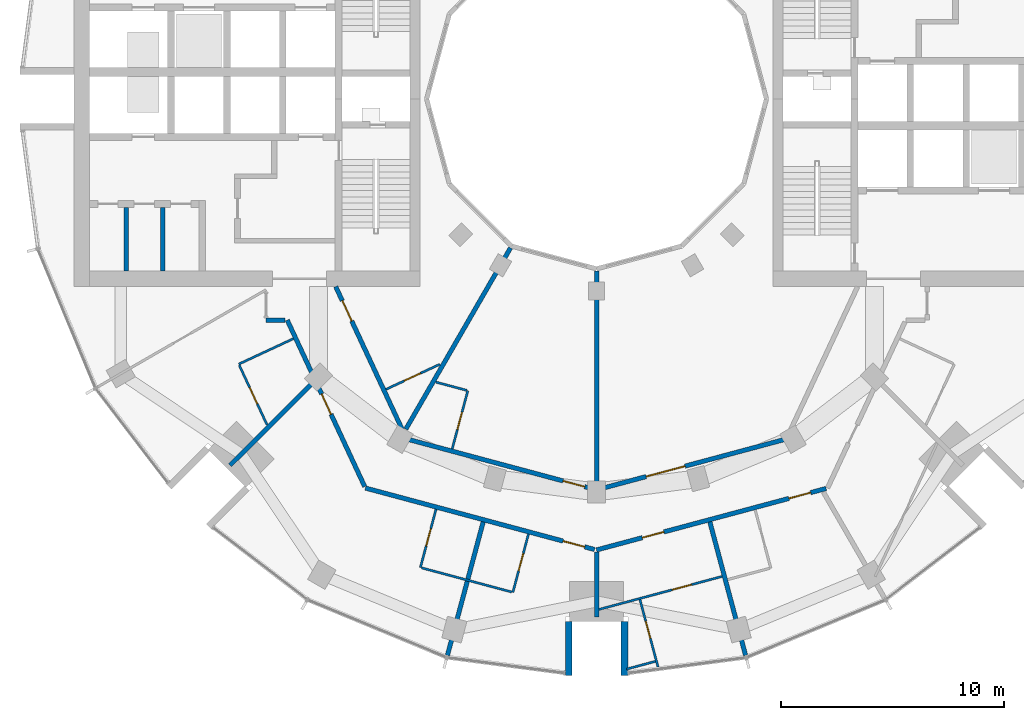
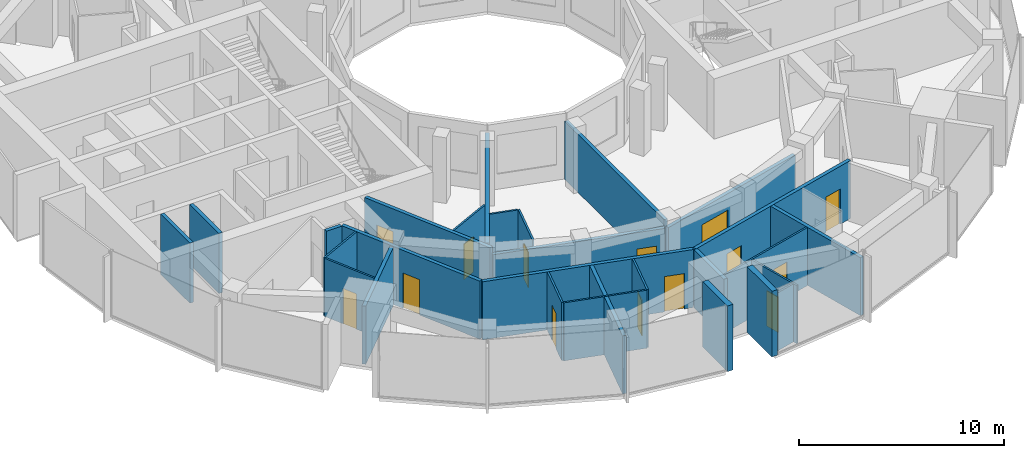
# One storey, part 8 of 15: 28 walls, 14 doors, 14 openings.
"""IFC4 building model written with IfcOpenShell, lengths in metres."""

import ifcopenshell
import ifcopenshell.guid

model = None  # the IFC model being written
_history = None  # IfcOwnerHistory: only IFC2X3 demands one
_inside = {}  # id of a spatial element -> (the spatial element, [elements in it])
_under = {}  # id of a project, library or spatial element -> (it, [spatial elements below it])
_declared = {}  # id of a project -> (the project, [libraries it declares])
_typed = {}  # id of a type object -> (the type object, [elements of that type])
_made_of = {}  # id of a material, layer set ... -> (it, [elements and type objects made of it])


def new_model(schema):
    """Start an empty IFC model of exactly this schema.

    Asked for "IFC4X3", IfcOpenShell would pick the latest addendum, in which some entities
    have other attributes; the version numbers below select the first issue.
    IFC2X3 requires an IfcOwnerHistory on every rooted entity: one is made here for all.
    """
    global model, _history
    if schema == "IFC4X3":
        model = ifcopenshell.file(schema_version=(4, 3, 0, 0))
    else:
        model = ifcopenshell.file(schema=schema)
    _inside.clear()
    _under.clear()
    _declared.clear()
    _typed.clear()
    _made_of.clear()
    _history = None
    if model.schema == "IFC2X3":
        org = make("IfcOrganization", Name="unknown")
        user = make(
            "IfcPersonAndOrganization",
            ThePerson=make("IfcPerson", FamilyName="unknown"),
            TheOrganization=org,
        )
        app = make(
            "IfcApplication",
            ApplicationDeveloper=org,
            Version="unknown",
            ApplicationFullName="unknown",
            ApplicationIdentifier="unknown",
        )
        _history = make(
            "IfcOwnerHistory",
            OwningUser=user,
            OwningApplication=app,
            ChangeAction="ADDED",
            CreationDate=0,
        )
    return model


def make(cls, **values):
    """One entity of the class cls with the attributes given. An attribute that is None is left unset."""
    return model.create_entity(
        cls, **{name: value for name, value in values.items() if value is not None}
    )


def rooted(cls, **values):
    """An entity with a GlobalId (a new one), such as an element, a storey or a relation."""
    return make(cls, GlobalId=ifcopenshell.guid.new(), OwnerHistory=_history, **values)


def si_unit(unit_type, name, prefix=None):
    """IfcSIUnit, for example si_unit("LENGTHUNIT", "METRE", prefix="MILLI")."""
    return make("IfcSIUnit", UnitType=unit_type, Prefix=prefix, Name=name)


def assignment(units):
    """IfcUnitAssignment: the units of a project."""
    return None if units is None else make("IfcUnitAssignment", Units=units)


def point(xyz):
    """IfcCartesianPoint."""
    return None if xyz is None else make("IfcCartesianPoint", Coordinates=xyz)


def direction(xyz):
    """IfcDirection."""
    return None if xyz is None else make("IfcDirection", DirectionRatios=xyz)


def frame(location, z_axis=None, x_axis=None):
    """IfcAxis2Placement3D, a coordinate frame: its origin and axes. An axis left out is left unset."""
    return make(
        "IfcAxis2Placement3D",
        Location=point(location),
        Axis=direction(z_axis),
        RefDirection=direction(x_axis),
    )


def frame_2d(location, x_axis=None):
    """IfcAxis2Placement2D, a coordinate frame in the plane: its origin and x axis."""
    return make(
        "IfcAxis2Placement2D", Location=point(location), RefDirection=direction(x_axis)
    )


def origin():
    """The frame at (0, 0, 0) with its axes left unset."""
    return frame((0.0, 0.0, 0.0))


def place(relative_to, where):
    """IfcLocalPlacement: puts the frame where relative to a parent placement (None: the world)."""
    return make(
        "IfcLocalPlacement", PlacementRelTo=relative_to, RelativePlacement=where
    )


def context(
    kind, dimensions, precision=None, world=None, true_north=None, identifier=None
):
    """IfcGeometricRepresentationContext, for example the 3D "Model" context."""
    return make(
        "IfcGeometricRepresentationContext",
        ContextIdentifier=identifier,
        ContextType=kind,
        CoordinateSpaceDimension=dimensions,
        Precision=precision,
        WorldCoordinateSystem=world,
        TrueNorth=true_north,
    )


def subcontext(parent, identifier, kind, view, scale=None):
    """IfcGeometricRepresentationSubContext, for example "Body" below "Model"."""
    return make(
        "IfcGeometricRepresentationSubContext",
        ContextIdentifier=identifier,
        ContextType=kind,
        ParentContext=parent,
        TargetScale=scale,
        TargetView=view,
    )


def project(units=None, contexts=None):
    """IfcProject with its units and contexts."""
    return rooted(
        "IfcProject",
        Name="project",
        RepresentationContexts=contexts,
        UnitsInContext=assignment(units),
    )


def spatial(cls, under=None, at=None, **own):
    """A site, building, storey or space (cls), placed at a placement, below another one or the project."""
    s = rooted(cls, ObjectPlacement=at, **own)
    if under is not None:
        _under.setdefault(under.id(), (under, []))[1].append(s)
    return s


def profile(cls, at=None, kind="AREA", **sizes):
    """A parametric profile (cls). Its sizes go by their IFC names, for example OverallWidth=200.0."""
    return make(cls, ProfileType=kind, Position=at, **sizes)


def rectangle(**sizes):
    """IfcRectangleProfileDef."""
    return profile("IfcRectangleProfileDef", **sizes)


def extrude(swept, where, along, depth):
    """IfcExtrudedAreaSolid: the profile swept, set in the frame where, extruded along a direction by depth."""
    return make(
        "IfcExtrudedAreaSolid",
        SweptArea=swept,
        Position=where,
        ExtrudedDirection=direction(along),
        Depth=depth,
    )


def shape(context_of_items, identifier, shape_type, items):
    """IfcShapeRepresentation: the items that make up one representation, for example the "Body"."""
    return make(
        "IfcShapeRepresentation",
        ContextOfItems=context_of_items,
        RepresentationIdentifier=identifier,
        RepresentationType=shape_type,
        Items=items,
    )


def material(Name=None, Category=None):
    """IfcMaterial."""
    return make("IfcMaterial", Name=Name, Category=Category)


def layer(
    of_material, thickness, ventilated=None, Name=None, Category=None, Priority=None
):
    """IfcMaterialLayer: one layer of a wall or slab, of a material (None: an air gap)."""
    return make(
        "IfcMaterialLayer",
        Material=of_material,
        LayerThickness=thickness,
        IsVentilated=ventilated,
        Name=Name,
        Category=Category,
        Priority=Priority,
    )


def layer_set(layers, Name=None):
    """IfcMaterialLayerSet."""
    return make("IfcMaterialLayerSet", MaterialLayers=layers, LayerSetName=Name)


def made_of(thing, what):
    """Note that an element or type object is made of a material, layer set ...; save() writes the relation."""
    if what is not None:
        _made_of.setdefault(what.id(), (what, []))[1].append(thing)
    return thing


def type_object(cls, material=None, **own):
    """A type object (cls), such as IfcWallType, which elements share."""
    return made_of(rooted(cls, **own), material)


def element(
    cls,
    number,
    at=None,
    inside=None,
    cuts=None,
    type_object=None,
    material=None,
    context=None,
    identifier="Body",
    shape_type=None,
    held_by="IfcProductDefinitionShape",
    body=None,
    shapes=None,
    **own,
):
    """One element of the class cls, such as IfcWall. Its Tag is "e" and its number.

    at: its placement. inside: the storey or other place that contains it. cuts: it is an
    opening in that element (IfcRelVoidsElement). A single representation is given by context,
    identifier, shape_type and body (its items); several are given by shapes. held_by: the class
    of the entity that holds the representations. save() writes the other relations.
    """
    e = rooted(cls, Tag="e%d" % number, ObjectPlacement=at, **own)
    if body is not None:
        shapes = [shape(context, identifier, shape_type, body)]
    if shapes is not None:
        e.Representation = make(held_by, Representations=shapes)
    if inside is not None:
        _inside.setdefault(inside.id(), (inside, []))[1].append(e)
    if cuts is not None:
        rooted(
            "IfcRelVoidsElement", RelatingBuildingElement=cuts, RelatedOpeningElement=e
        )
    if type_object is not None:
        _typed.setdefault(type_object.id(), (type_object, []))[1].append(e)
    return made_of(e, material)


def fill(opening, filler):
    """IfcRelFillsElement: the door or window that sits in an opening."""
    return rooted(
        "IfcRelFillsElement",
        RelatingOpeningElement=opening,
        RelatedBuildingElement=filler,
    )


def aggregate(whole, parts):
    """IfcRelAggregates: a whole, such as a stair, and the parts it consists of."""
    return rooted("IfcRelAggregates", RelatingObject=whole, RelatedObjects=parts)


def save(model, path):
    """Write the relations noted so far, then the file.

    IfcRelAggregates (storeys below a building ...), IfcRelContainedInSpatialStructure (elements
    in a storey), IfcRelDefinesByType, IfcRelAssociatesMaterial and IfcRelDeclares: one each for
    every whole, place, type object, material and project.
    """
    for whole, parts in _under.values():
        aggregate(whole, parts)
    for where, things in _inside.values():
        rooted(
            "IfcRelContainedInSpatialStructure",
            RelatedElements=things,
            RelatingStructure=where,
        )
    for kind, things in _typed.values():
        rooted("IfcRelDefinesByType", RelatedObjects=things, RelatingType=kind)
    for what, things in _made_of.values():
        rooted("IfcRelAssociatesMaterial", RelatedObjects=things, RelatingMaterial=what)
    for by, libraries in _declared.values():
        rooted("IfcRelDeclares", RelatingContext=by, RelatedDefinitions=libraries)
    model.write(path)


model = new_model("IFC4")

# Units and contexts
model_context = context("Model", 3, precision=1e-05, world=origin(), true_north=direction((0.0, 1.0)))
body_context = subcontext(model_context, "Body", "Model", "MODEL_VIEW")
ifc_project = project(units=[si_unit("LENGTHUNIT", "METRE"), si_unit("AREAUNIT", "SQUARE_METRE"), si_unit("VOLUMEUNIT", "CUBIC_METRE"), si_unit("PLANEANGLEUNIT", "RADIAN"), si_unit("MASSUNIT", "GRAM", prefix="KILO")], contexts=[model_context])

# Site, building, storey
site_placement = place(None, origin())
site = spatial("IfcSite", under=ifc_project, at=site_placement, CompositionType="ELEMENT")
building_placement = place(site_placement, origin())
building = spatial("IfcBuilding", under=site, at=building_placement, Name="Torre Brocal", CompositionType="ELEMENT")
storey_placement = place(building_placement, frame((0.0, 0.0, 126.300048828125)))
storey = spatial("IfcBuildingStorey", under=building, at=storey_placement, Name="L29", CompositionType="ELEMENT", Elevation=126.300048828125)

# Walls
ifc_material_1 = material(Name="Masonry block", Category="masonry")
ifc_layer_1 = layer(ifc_material_1, 0.199951171875)
ifc_layer_set_1 = layer_set([ifc_layer_1], Name="Masonry block")
wall_type_1 = type_object("IfcWallType", Name="CORE PARTITION 200", PredefinedType="PARTITIONING", material=ifc_layer_set_1)
for number, where, z_axis, x_axis, name in (
    (1, (60.566650390625, 70.14990234375, 0.0), (0.0, 0.0, 1.0), (0.0, -1.0, 0.0), "Wall CP200"),
    (2, (58.933349609375, 70.14990234375, 0.0), (0.0, 0.0, 1.0), (0.0, -1.0, 0.0), "Wall CP200"),
):
    element("IfcWall", number, at=place(storey_placement, frame(where, z_axis=z_axis, x_axis=x_axis)), inside=storey, type_object=wall_type_1, Name=name, PredefinedType="PARTITIONING", context=body_context, shape_type="SweptSolid", body=[
        extrude(rectangle(XDim=2.849853515625, YDim=0.199951171875, at=frame_2d((1.4248046875, 0.0))), origin(), (0.0, 0.0, 1.0), 3.579833984375),
    ])
ifc_material_2 = material(Name="Concrete C70", Category="concrete")
ifc_layer_2 = layer(ifc_material_2, 0.300048828125)
ifc_layer_set_2 = layer_set([ifc_layer_2], Name="Concrete C70")
wall_type_2 = type_object("IfcWallType", Name="NOTCH RETURN WALL 300 C70", PredefinedType="NOTDEFINED", material=ifc_layer_set_2)
for number, where, z_axis, x_axis, name in (
    (3, (78.75, 51.60009765625, 0.0), (0.0, 0.0, 1.0), (0.0, -1.0, 0.0), "NOTCH RETURN WALL"),
    (4, (81.25, 51.60009765625, 0.0), (0.0, 0.0, 1.0), (0.0, -1.0, 0.0), "NOTCH RETURN WALL"),
):
    element("IfcWall", number, at=place(storey_placement, frame(where, z_axis=z_axis, x_axis=x_axis)), inside=storey, type_object=wall_type_2, Name=name, PredefinedType="NOTDEFINED", context=body_context, shape_type="SweptSolid", body=[
        extrude(rectangle(XDim=2.415771484375, YDim=0.300048828125, at=frame_2d((1.2080078125, 0.0))), origin(), (0.0, 0.0, 1.0), 3.89990234375),
    ])

# Wall, opening, door
ifc_material_3 = material(Name="Gypsum board", Category="Gypsum")
ifc_layer_3 = layer(ifc_material_3, 0.10009765625)
ifc_layer_set_3 = layer_set([ifc_layer_3], Name="Gypsum board")
wall_type_3 = type_object("IfcWallType", Name="PARTITION 100", PredefinedType="PARTITIONING", material=ifc_layer_set_3)
wall_1_placement = place(storey_placement, frame((64.001220703125, 63.081787109375, 0.0), z_axis=(0.0, 0.0, 1.0), x_axis=(0.422271882089, -0.906469225951, 0.0)))
wall_1 = element("IfcWall", 5, at=wall_1_placement, inside=storey, type_object=wall_type_3, Name="BATHROOM WALL", PredefinedType="PARTITIONING", context=body_context, shape_type="SweptSolid", body=[
    extrude(rectangle(XDim=2.941162109375, YDim=0.10009765625, at=frame_2d((1.470703125, 0.0))), origin(), (0.0, 0.0, 1.0), 3.449951171875),
])
opening_1_placement = place(wall_1_placement, frame((1.110595703125, 0.0, 0.0)))
opening_1 = element("IfcOpeningElement", 6, at=opening_1_placement, cuts=wall_1, Name="Opening E02-D39", PredefinedType="OPENING", context=body_context, shape_type="SweptSolid", body=[
    extrude(rectangle(XDim=0.800048828125, YDim=2.10009765625, at=frame_2d((0.39990234375, 1.050048828125))), frame((0.0, 0.06005859375, 0.0), z_axis=(0.0, -1.0, 0.0), x_axis=(1.0, 0.0, 0.0)), (0.0, 0.0, 1.0), 0.1201171875),
])
ifc_material_4 = material(Name="Timber", Category="wood")
door_type_1 = type_object("IfcDoorType", Name="BATHROOM DOOR 800X2100", OperationType="SINGLE_SWING_LEFT", PredefinedType="DOOR", material=ifc_material_4)
door_1_placement = place(opening_1_placement, origin())
door_1 = element("IfcDoor", 7, at=door_1_placement, inside=storey, type_object=door_type_1, Name="E02-D39", OperationType="SINGLE_SWING_RIGHT", OverallHeight=2.10009765625, OverallWidth=0.800048828125, PredefinedType="DOOR", context=body_context, shape_type="SweptSolid", body=[
    extrude(rectangle(XDim=0.800048828125, YDim=2.10009765625, at=frame_2d((0.39990234375, 1.050048828125))), frame((0.0, 0.02490234375, 0.0), z_axis=(0.0, -1.0, 0.0), x_axis=(1.0, 0.0, 0.0)), (0.0, 0.0, 1.0), 0.050048828125),
])
fill(opening_1, door_1)

# Wall
wall_2_placement = place(storey_placement, frame((63.97998046875, 63.126953125, 0.0), z_axis=(0.0, 0.0, 1.0), x_axis=(0.90649017149, 0.422226916469, 0.0)))
element("IfcWall", 8, at=wall_2_placement, inside=storey, type_object=wall_type_3, Name="BATHROOM WALL", PredefinedType="PARTITIONING", context=body_context, shape_type="SweptSolid", body=[
    extrude(rectangle(XDim=2.69970703125, YDim=0.10009765625, at=frame_2d((1.349853515625, 0.0))), origin(), (0.0, 0.0, 1.0), 3.449951171875),
])

# Wall, opening, door
wall_3_placement = place(storey_placement, frame((70.57373046875, 61.997314453125, 0.0), z_axis=(0.0, 0.0, 1.0), x_axis=(0.906511197636, 0.422181771942, 0.0)))
wall_3 = element("IfcWall", 9, at=wall_3_placement, inside=storey, type_object=wall_type_3, Name="BATHROOM WALL", PredefinedType="PARTITIONING", context=body_context, shape_type="SweptSolid", body=[
    extrude(rectangle(XDim=2.659423828125, YDim=0.10009765625, at=frame_2d((1.32958984375, 0.0))), origin(), (0.0, 0.0, 1.0), 3.449951171875),
])
opening_2_placement = place(wall_3_placement, frame((0.89990234375, 0.0, 0.0)))
opening_2 = element("IfcOpeningElement", 10, at=opening_2_placement, cuts=wall_3, Name="Opening E02-D45", PredefinedType="OPENING", context=body_context, shape_type="SweptSolid", body=[
    extrude(rectangle(XDim=0.800048828125, YDim=2.10009765625, at=frame_2d((0.39990234375, 1.050048828125))), frame((0.0, 0.06005859375, 0.0), z_axis=(0.0, -1.0, 0.0), x_axis=(1.0, 0.0, 0.0)), (0.0, 0.0, 1.0), 0.1201171875),
])
door_2_placement = place(opening_2_placement, frame((0.800048828125, 0.0, 0.0), z_axis=(0.0, 0.0, 1.0), x_axis=(-1.0, 0.0, 0.0)))
door_2 = element("IfcDoor", 11, at=door_2_placement, inside=storey, type_object=door_type_1, Name="E02-D45", OperationType="SINGLE_SWING_RIGHT", OverallHeight=2.10009765625, OverallWidth=0.800048828125, PredefinedType="DOOR", context=body_context, shape_type="SweptSolid", body=[
    extrude(rectangle(XDim=0.800048828125, YDim=2.10009765625, at=frame_2d((0.39990234375, 1.050048828125))), frame((0.0, 0.02490234375, 0.0), z_axis=(0.0, -1.0, 0.0), x_axis=(1.0, 0.0, 0.0)), (0.0, 0.0, 1.0), 0.050048828125),
])
fill(opening_2, door_2)

# Wall
wall_4_placement = place(storey_placement, frame((72.16748046875, 54.00390625, 0.0), z_axis=(0.0, 0.0, 1.0), x_axis=(0.965881316313, -0.258985101497, 0.0)))
element("IfcWall", 12, at=wall_4_placement, inside=storey, type_object=wall_type_3, Name="BATHROOM WALL", PredefinedType="PARTITIONING", context=body_context, shape_type="SweptSolid", body=[
    extrude(rectangle(XDim=4.181640625, YDim=0.10009765625, at=frame_2d((2.0908203125, 0.0))), origin(), (0.0, 0.0, 1.0), 3.449951171875),
])

# Wall, opening, door
wall_5_placement = place(storey_placement, frame((72.11376953125, 54.018310546875, 0.0), z_axis=(0.0, 0.0, 1.0), x_axis=(0.258945475746, 0.965891940432, 0.0)))
wall_5 = element("IfcWall", 13, at=wall_5_placement, inside=storey, type_object=wall_type_3, Name="BATHROOM WALL", PredefinedType="PARTITIONING", context=body_context, shape_type="SweptSolid", body=[
    extrude(rectangle(XDim=2.7001953125, YDim=0.10009765625, at=frame_2d((1.35009765625, 0.0))), origin(), (0.0, 0.0, 1.0), 3.449951171875),
])
opening_3_placement = place(wall_5_placement, frame((1.000244140625, 0.0, 0.0)))
opening_3 = element("IfcOpeningElement", 14, at=opening_3_placement, cuts=wall_5, Name="Opening E02-D37", PredefinedType="OPENING", context=body_context, shape_type="SweptSolid", body=[
    extrude(rectangle(XDim=0.800048828125, YDim=2.10009765625, at=frame_2d((0.39990234375, 1.050048828125))), frame((0.0, 0.06005859375, 0.0), z_axis=(0.0, -1.0, 0.0), x_axis=(1.0, 0.0, 0.0)), (0.0, 0.0, 1.0), 0.1201171875),
])
door_3_placement = place(opening_3_placement, frame((0.800048828125, 0.0, 0.0), z_axis=(0.0, 0.0, 1.0), x_axis=(-1.0, 0.0, 0.0)))
door_3 = element("IfcDoor", 15, at=door_3_placement, inside=storey, type_object=door_type_1, Name="E02-D37", OperationType="SINGLE_SWING_LEFT", OverallHeight=2.10009765625, OverallWidth=0.800048828125, PredefinedType="DOOR", context=body_context, shape_type="SweptSolid", body=[
    extrude(rectangle(XDim=0.800048828125, YDim=2.10009765625, at=frame_2d((0.39990234375, 1.050048828125))), frame((0.0, 0.02490234375, 0.0), z_axis=(0.0, -1.0, 0.0), x_axis=(1.0, 0.0, 0.0)), (0.0, 0.0, 1.0), 0.050048828125),
])
fill(opening_3, door_3)

# Wall
wall_6_placement = place(storey_placement, frame((72.803466796875, 62.322509765625, 0.0), z_axis=(0.0, 0.0, 1.0), x_axis=(0.965987704064, -0.258588003583, 0.0)))
element("IfcWall", 16, at=wall_6_placement, inside=storey, type_object=wall_type_3, Name="BATHROOM WALL", PredefinedType="PARTITIONING", context=body_context, shape_type="SweptSolid", body=[
    extrude(rectangle(XDim=1.428466796875, YDim=0.10009765625, at=frame_2d((0.71435546875, 0.0))), origin(), (0.0, 0.0, 1.0), 3.449951171875),
])

# Wall, opening, door
wall_7_placement = place(storey_placement, frame((73.5380859375, 59.331298828125, 0.0), z_axis=(0.0, 0.0, 1.0), x_axis=(0.259013334072, 0.965873745773, 0.0)))
wall_7 = element("IfcWall", 17, at=wall_7_placement, inside=storey, type_object=wall_type_3, Name="BATHROOM WALL", PredefinedType="PARTITIONING", context=body_context, shape_type="SweptSolid", body=[
    extrude(rectangle(XDim=2.699462890625, YDim=0.10009765625, at=frame_2d((1.349609375, 0.0))), origin(), (0.0, 0.0, 1.0), 3.449951171875),
])
opening_4_placement = place(wall_7_placement, frame((0.89990234375, 0.0, 0.0)))
opening_4 = element("IfcOpeningElement", 18, at=opening_4_placement, cuts=wall_7, Name="Opening E02-D43", PredefinedType="OPENING", context=body_context, shape_type="SweptSolid", body=[
    extrude(rectangle(XDim=0.800048828125, YDim=2.10009765625, at=frame_2d((0.39990234375, 1.050048828125))), frame((0.0, 0.06005859375, 0.0), z_axis=(0.0, -1.0, 0.0), x_axis=(1.0, 0.0, 0.0)), (0.0, 0.0, 1.0), 0.1201171875),
])
door_4_placement = place(opening_4_placement, origin())
door_4 = element("IfcDoor", 19, at=door_4_placement, inside=storey, type_object=door_type_1, Name="E02-D43", OperationType="SINGLE_SWING_LEFT", OverallHeight=2.10009765625, OverallWidth=0.800048828125, PredefinedType="DOOR", context=body_context, shape_type="SweptSolid", body=[
    extrude(rectangle(XDim=0.800048828125, YDim=2.10009765625, at=frame_2d((0.39990234375, 1.050048828125))), frame((0.0, 0.02490234375, 0.0), z_axis=(0.0, -1.0, 0.0), x_axis=(1.0, 0.0, 0.0)), (0.0, 0.0, 1.0), 0.050048828125),
])
fill(opening_4, door_4)

wall_8_placement = place(storey_placement, frame((76.2548828125, 52.908935546875, 0.0), z_axis=(0.0, 0.0, 1.0), x_axis=(0.25867580527, 0.965964195904, 0.0)))
wall_8 = element("IfcWall", 20, at=wall_8_placement, inside=storey, type_object=wall_type_3, Name="BATHROOM WALL", PredefinedType="PARTITIONING", context=body_context, shape_type="SweptSolid", body=[
    extrude(rectangle(XDim=2.69921875, YDim=0.10009765625, at=frame_2d((1.349609375, 0.0))), origin(), (0.0, 0.0, 1.0), 3.449951171875),
])
opening_5_placement = place(wall_8_placement, frame((0.99951171875, 0.0, 0.0)))
opening_5 = element("IfcOpeningElement", 21, at=opening_5_placement, cuts=wall_8, Name="Opening E02-D35", PredefinedType="OPENING", context=body_context, shape_type="SweptSolid", body=[
    extrude(rectangle(XDim=0.800048828125, YDim=2.10009765625, at=frame_2d((0.39990234375, 1.050048828125))), frame((0.0, 0.06005859375, 0.0), z_axis=(0.0, -1.0, 0.0), x_axis=(1.0, 0.0, 0.0)), (0.0, 0.0, 1.0), 0.1201171875),
])
door_5_placement = place(opening_5_placement, origin())
door_5 = element("IfcDoor", 22, at=door_5_placement, inside=storey, type_object=door_type_1, Name="E02-D35", OperationType="SINGLE_SWING_RIGHT", OverallHeight=2.10009765625, OverallWidth=0.800048828125, PredefinedType="DOOR", context=body_context, shape_type="SweptSolid", body=[
    extrude(rectangle(XDim=0.800048828125, YDim=2.10009765625, at=frame_2d((0.39990234375, 1.050048828125))), frame((0.0, 0.02490234375, 0.0), z_axis=(0.0, -1.0, 0.0), x_axis=(1.0, 0.0, 0.0)), (0.0, 0.0, 1.0), 0.050048828125),
])
fill(opening_5, door_5)

wall_9_placement = place(storey_placement, frame((80.106201171875, 52.140380859375, 0.0), z_axis=(0.0, 0.0, 1.0), x_axis=(0.965888724411, 0.25895747152, 0.0)))
wall_9 = element("IfcWall", 23, at=wall_9_placement, inside=storey, type_object=wall_type_3, Name="BATHROOM WALL", PredefinedType="PARTITIONING", context=body_context, shape_type="SweptSolid", body=[
    extrude(rectangle(XDim=5.714111328125, YDim=0.10009765625, at=frame_2d((2.85693359375, 0.0))), origin(), (0.0, 0.0, 1.0), 3.449951171875),
])
opening_6_placement = place(wall_9_placement, frame((3.392333984375, 0.0, 0.0)))
opening_6 = element("IfcOpeningElement", 24, at=opening_6_placement, cuts=wall_9, Name="Opening E02-D32", PredefinedType="OPENING", context=body_context, shape_type="SweptSolid", body=[
    extrude(rectangle(XDim=0.89990234375, YDim=2.10009765625, at=frame_2d((0.449951171875, 1.050048828125))), frame((0.0, 0.06005859375, 0.0), z_axis=(0.0, -1.0, 0.0), x_axis=(1.0, 0.0, 0.0)), (0.0, 0.0, 1.0), 0.1201171875),
])
ifc_material_5 = material(Name="Timber", Category="wood")
door_type_2 = type_object("IfcDoorType", Name="ROOM DOOR 900X2100", OperationType="SINGLE_SWING_LEFT", PredefinedType="DOOR", material=ifc_material_5)
door_6_placement = place(opening_6_placement, frame((0.89990234375, 0.0, 0.0), z_axis=(0.0, 0.0, 1.0), x_axis=(-1.0, 0.0, 0.0)))
door_6 = element("IfcDoor", 25, at=door_6_placement, inside=storey, type_object=door_type_2, Name="E02-D32", OperationType="SINGLE_SWING_LEFT", OverallHeight=2.10009765625, OverallWidth=0.89990234375, PredefinedType="DOOR", context=body_context, shape_type="SweptSolid", body=[
    extrude(rectangle(XDim=0.89990234375, YDim=2.10009765625, at=frame_2d((0.449951171875, 1.050048828125))), frame((0.0, 0.02490234375, 0.0), z_axis=(0.0, -1.0, 0.0), x_axis=(1.0, 0.0, 0.0)), (0.0, 0.0, 1.0), 0.050048828125),
])
fill(opening_6, door_6)

# Wall
wall_10_placement = place(storey_placement, frame((81.342041015625, 49.468994140625, 0.0), z_axis=(0.0, 0.0, 1.0), x_axis=(0.965825019766, 0.259194967533, 0.0)))
element("IfcWall", 26, at=wall_10_placement, inside=storey, type_object=wall_type_3, Name="BATHROOM WALL", PredefinedType="PARTITIONING", context=body_context, shape_type="SweptSolid", body=[
    extrude(rectangle(XDim=1.33837890625, YDim=0.10009765625, at=frame_2d((0.669189453125, 0.0))), origin(), (0.0, 0.0, 1.0), 3.449951171875),
])

# Wall, opening, door
wall_11_placement = place(storey_placement, frame((81.945068359375, 52.581787109375, 0.0), z_axis=(0.0, 0.0, 1.0), x_axis=(0.258941837668, -0.965892915755, 0.0)))
wall_11 = element("IfcWall", 27, at=wall_11_placement, inside=storey, type_object=wall_type_3, Name="BATHROOM WALL", PredefinedType="PARTITIONING", context=body_context, shape_type="SweptSolid", body=[
    extrude(rectangle(XDim=3.12353515625, YDim=0.10009765625, at=frame_2d((1.561767578125, 0.0))), origin(), (0.0, 0.0, 1.0), 3.449951171875),
])
opening_7_placement = place(wall_11_placement, frame((1.0, 0.0, 0.0)))
opening_7 = element("IfcOpeningElement", 28, at=opening_7_placement, cuts=wall_11, Name="Opening E02-D33", PredefinedType="OPENING", context=body_context, shape_type="SweptSolid", body=[
    extrude(rectangle(XDim=0.800048828125, YDim=2.10009765625, at=frame_2d((0.39990234375, 1.050048828125))), frame((0.0, 0.06005859375, 0.0), z_axis=(0.0, -1.0, 0.0), x_axis=(1.0, 0.0, 0.0)), (0.0, 0.0, 1.0), 0.1201171875),
])
door_7_placement = place(opening_7_placement, frame((0.800048828125, 0.0, 0.0), z_axis=(0.0, 0.0, 1.0), x_axis=(-1.0, 0.0, 0.0)))
door_7 = element("IfcDoor", 29, at=door_7_placement, inside=storey, type_object=door_type_1, Name="E02-D33", OperationType="SINGLE_SWING_RIGHT", OverallHeight=2.10009765625, OverallWidth=0.800048828125, PredefinedType="DOOR", context=body_context, shape_type="SweptSolid", body=[
    extrude(rectangle(XDim=0.800048828125, YDim=2.10009765625, at=frame_2d((0.39990234375, 1.050048828125))), frame((0.0, 0.02490234375, 0.0), z_axis=(0.0, -1.0, 0.0), x_axis=(1.0, 0.0, 0.0)), (0.0, 0.0, 1.0), 0.050048828125),
])
fill(opening_7, door_7)

# Walls
ifc_material_6 = material(Name="Gypsum board", Category="Gypsum")
ifc_layer_4 = layer(ifc_material_6, 0.199951171875)
ifc_layer_set_4 = layer_set([ifc_layer_4], Name="Gypsum board")
wall_type_4 = type_object("IfcWallType", Name="PARTITION 200 EI60", PredefinedType="PARTITIONING", material=ifc_layer_set_4)
wall_12_placement = place(storey_placement, frame((63.59228515625, 58.59912109375, 0.0), z_axis=(0.0, 0.0, 1.0), x_axis=(0.707292886396, 0.706920626982, 0.0)))
element("IfcWall", 30, at=wall_12_placement, inside=storey, type_object=wall_type_4, Name="BATHROOM WALL", PredefinedType="PARTITIONING", context=body_context, shape_type="SweptSolid", body=[
    extrude(rectangle(XDim=5.24658203125, YDim=0.199951171875, at=frame_2d((2.623291015625, 0.0))), origin(), (0.0, 0.0, 1.0), 3.449951171875),
])
wall_13_placement = place(storey_placement, frame((65.199951171875, 65.10009765625, 0.0), z_axis=(0.0, 0.0, 1.0), x_axis=(1.0, 0.0, 0.0)))
element("IfcWall", 31, at=wall_13_placement, inside=storey, type_object=wall_type_4, Name="GUESTROOM CORRIDOR WALL", PredefinedType="PARTITIONING", context=body_context, shape_type="SweptSolid", body=[
    extrude(rectangle(XDim=0.860107421875, YDim=0.199951171875, at=frame_2d((0.43017578125, 0.0))), origin(), (0.0, 0.0, 1.0), 3.449951171875),
])

# Wall, opening, door
wall_14_placement = place(storey_placement, frame((66.150390625, 65.10009765625, 0.0), z_axis=(0.0, 0.0, 1.0), x_axis=(0.421814710342, -0.906682055706, 0.0)))
wall_14 = element("IfcWall", 32, at=wall_14_placement, inside=storey, type_object=wall_type_4, Name="GUESTROOM CORRIDOR WALL", PredefinedType="PARTITIONING", context=body_context, shape_type="SweptSolid", body=[
    extrude(rectangle(XDim=8.22802734375, YDim=0.199951171875, at=frame_2d((4.114013671875, 0.0))), origin(), (0.0, 0.0, 1.0), 3.449951171875),
])
opening_8_placement = place(wall_14_placement, frame((3.654052734375, 0.0, 0.0)))
opening_8 = element("IfcOpeningElement", 33, at=opening_8_placement, cuts=wall_14, Name="Opening E02-D36", PredefinedType="OPENING", context=body_context, shape_type="SweptSolid", body=[
    extrude(rectangle(XDim=1.0, YDim=2.10009765625, at=frame_2d((0.5, 1.050048828125))), frame((0.0, 0.10986328125, 0.0), z_axis=(0.0, -1.0, 0.0), x_axis=(1.0, 0.0, 0.0)), (0.0, 0.0, 1.0), 0.219970703125),
])
ifc_material_7 = material(Name="Timber", Category="wood")
door_type_3 = type_object("IfcDoorType", Name="FLAT ENTRY DOOR FD30S 1000X2100", OperationType="SINGLE_SWING_RIGHT", PredefinedType="DOOR", material=ifc_material_7)
door_8_placement = place(opening_8_placement, frame((1.0, 0.0, 0.0), z_axis=(0.0, 0.0, 1.0), x_axis=(-1.0, 0.0, 0.0)))
door_8 = element("IfcDoor", 34, at=door_8_placement, inside=storey, type_object=door_type_3, Name="E02-D36", OperationType="SINGLE_SWING_RIGHT", OverallHeight=2.10009765625, OverallWidth=1.0, PredefinedType="DOOR", context=body_context, shape_type="SweptSolid", body=[
    extrude(rectangle(XDim=1.0, YDim=2.10009765625, at=frame_2d((0.5, 1.050048828125))), frame((0.0, 0.02490234375, 0.0), z_axis=(0.0, -1.0, 0.0), x_axis=(1.0, 0.0, 0.0)), (0.0, 0.0, 1.0), 0.050048828125),
])
fill(opening_8, door_8)

wall_15_placement = place(storey_placement, frame((68.32080078125, 66.600341796875, 0.0), z_axis=(0.0, 0.0, 1.0), x_axis=(0.421914092414, -0.906635813666, 0.0)))
wall_15 = element("IfcWall", 35, at=wall_15_placement, inside=storey, type_object=wall_type_4, Name="GUESTROOM CORRIDOR WALL", PredefinedType="PARTITIONING", context=body_context, shape_type="SweptSolid", body=[
    extrude(rectangle(XDim=7.45947265625, YDim=0.199951171875, at=frame_2d((3.729736328125, 0.0))), origin(), (0.0, 0.0, 1.0), 3.449951171875),
])
opening_9_placement = place(wall_15_placement, frame((0.699951171875, 0.0, 0.0)))
opening_9 = element("IfcOpeningElement", 36, at=opening_9_placement, cuts=wall_15, Name="Opening E02-D44", PredefinedType="OPENING", context=body_context, shape_type="SweptSolid", body=[
    extrude(rectangle(XDim=1.0, YDim=2.10009765625, at=frame_2d((0.5, 1.050048828125))), frame((0.0, 0.10986328125, 0.0), z_axis=(0.0, -1.0, 0.0), x_axis=(1.0, 0.0, 0.0)), (0.0, 0.0, 1.0), 0.219970703125),
])
door_9_placement = place(opening_9_placement, origin())
door_9 = element("IfcDoor", 37, at=door_9_placement, inside=storey, type_object=door_type_3, Name="E02-D44", OperationType="SINGLE_SWING_LEFT", OverallHeight=2.10009765625, OverallWidth=1.0, PredefinedType="DOOR", context=body_context, shape_type="SweptSolid", body=[
    extrude(rectangle(XDim=1.0, YDim=2.10009765625, at=frame_2d((0.5, 1.050048828125))), frame((0.0, 0.02490234375, 0.0), z_axis=(0.0, -1.0, 0.0), x_axis=(1.0, 0.0, 0.0)), (0.0, 0.0, 1.0), 0.050048828125),
])
fill(opening_9, door_9)

wall_16_placement = place(storey_placement, frame((69.652099609375, 57.57763671875, 0.0), z_axis=(0.0, 0.0, 1.0), x_axis=(0.965851674805, -0.259095623807, 0.0)))
wall_16 = element("IfcWall", 38, at=wall_16_placement, inside=storey, type_object=wall_type_4, Name="GUESTROOM CORRIDOR WALL", PredefinedType="PARTITIONING", context=body_context, shape_type="SweptSolid", body=[
    extrude(rectangle(XDim=10.623291015625, YDim=0.199951171875, at=frame_2d((5.3115234375, 0.0))), origin(), (0.0, 0.0, 1.0), 3.449951171875),
])
opening_10_placement = place(wall_16_placement, frame((9.1630859375, 0.0, 0.0)))
opening_10 = element("IfcOpeningElement", 39, at=opening_10_placement, cuts=wall_16, Name="Opening E02-D34", PredefinedType="OPENING", context=body_context, shape_type="SweptSolid", body=[
    extrude(rectangle(XDim=1.0, YDim=2.10009765625, at=frame_2d((0.5, 1.050048828125))), frame((0.0, 0.10986328125, 0.0), z_axis=(0.0, -1.0, 0.0), x_axis=(1.0, 0.0, 0.0)), (0.0, 0.0, 1.0), 0.219970703125),
])
door_10_placement = place(opening_10_placement, frame((1.0, 0.0, 0.0), z_axis=(0.0, 0.0, 1.0), x_axis=(-1.0, 0.0, 0.0)))
door_10 = element("IfcDoor", 40, at=door_10_placement, inside=storey, type_object=door_type_3, Name="E02-D34", OperationType="SINGLE_SWING_LEFT", OverallHeight=2.10009765625, OverallWidth=1.0, PredefinedType="DOOR", context=body_context, shape_type="SweptSolid", body=[
    extrude(rectangle(XDim=1.0, YDim=2.10009765625, at=frame_2d((0.5, 1.050048828125))), frame((0.0, 0.02490234375, 0.0), z_axis=(0.0, -1.0, 0.0), x_axis=(1.0, 0.0, 0.0)), (0.0, 0.0, 1.0), 0.050048828125),
])
fill(opening_10, door_10)

# Walls
wall_17_placement = place(storey_placement, frame((71.462158203125, 60.216796875, 0.0), z_axis=(0.0, 0.0, 1.0), x_axis=(0.500094460186, 0.865970860302, 0.0)))
element("IfcWall", 41, at=wall_17_placement, inside=storey, type_object=wall_type_4, Name="BATHROOM WALL", PredefinedType="PARTITIONING", context=body_context, shape_type="SweptSolid", body=[
    extrude(rectangle(XDim=9.373291015625, YDim=0.199951171875, at=frame_2d((4.6865234375, 0.0))), origin(), (0.0, 0.0, 1.0), 3.449951171875),
])
wall_18_placement = place(storey_placement, frame((73.322509765625, 50.080810546875, 0.0), z_axis=(0.0, 0.0, 1.0), x_axis=(0.258983179771, 0.96588183159, 0.0)))
element("IfcWall", 42, at=wall_18_placement, inside=storey, type_object=wall_type_4, Name="BATHROOM WALL", PredefinedType="PARTITIONING", context=body_context, shape_type="SweptSolid", body=[
    extrude(rectangle(XDim=6.189697265625, YDim=0.199951171875, at=frame_2d((3.0947265625, 0.0))), origin(), (0.0, 0.0, 1.0), 3.449951171875),
])
wall_19_placement = place(storey_placement, frame((80.0, 51.800048828125, 0.0), z_axis=(0.0, 0.0, 1.0), x_axis=(0.0, 1.0, 0.0)))
element("IfcWall", 43, at=wall_19_placement, inside=storey, type_object=wall_type_4, Name="BATHROOM WALL", PredefinedType="PARTITIONING", context=body_context, shape_type="SweptSolid", body=[
    extrude(rectangle(XDim=2.9140625, YDim=0.199951171875, at=frame_2d((1.45703125, 0.0))), origin(), (0.0, 0.0, 1.0), 3.449951171875),
])

# Wall, openings, doors
wall_20_placement = place(storey_placement, frame((79.999755859375, 54.80517578125, 0.0), z_axis=(0.0, 0.0, 1.0), x_axis=(0.965967909695, 0.258661936588, 0.0)))
wall_20 = element("IfcWall", 44, at=wall_20_placement, inside=storey, type_object=wall_type_4, Name="FLAT ENTRANCE WALL", PredefinedType="PARTITIONING", context=body_context, shape_type="SweptSolid", body=[
    extrude(rectangle(XDim=10.64306640625, YDim=0.199951171875, at=frame_2d((5.321533203125, 0.0))), origin(), (0.0, 0.0, 1.0), 3.449951171875),
])
opening_11_placement = place(wall_20_placement, frame((8.9248046875, 0.0, 0.0)))
opening_11 = element("IfcOpeningElement", 45, at=opening_11_placement, cuts=wall_20, Name="Opening E02-D29", PredefinedType="OPENING", context=body_context, shape_type="SweptSolid", body=[
    extrude(rectangle(XDim=1.0, YDim=2.10009765625, at=frame_2d((0.5, 1.050048828125))), frame((0.0, 0.10986328125, 0.0), z_axis=(0.0, -1.0, 0.0), x_axis=(1.0, 0.0, 0.0)), (0.0, 0.0, 1.0), 0.219970703125),
])
opening_12_placement = place(wall_20_placement, frame((2.123291015625, 0.0, 0.0)))
opening_12 = element("IfcOpeningElement", 46, at=opening_12_placement, cuts=wall_20, Name="Opening E02-D31", PredefinedType="OPENING", context=body_context, shape_type="SweptSolid", body=[
    extrude(rectangle(XDim=1.0, YDim=2.10009765625, at=frame_2d((0.5, 1.050048828125))), frame((0.0, 0.10986328125, 0.0), z_axis=(0.0, -1.0, 0.0), x_axis=(1.0, 0.0, 0.0)), (0.0, 0.0, 1.0), 0.219970703125),
])
door_11_placement = place(opening_11_placement, frame((1.0, 0.0, 0.0), z_axis=(0.0, 0.0, 1.0), x_axis=(-1.0, 0.0, 0.0)))
door_11 = element("IfcDoor", 47, at=door_11_placement, inside=storey, type_object=door_type_3, Name="E02-D29", OperationType="SINGLE_SWING_LEFT", OverallHeight=2.10009765625, OverallWidth=1.0, PredefinedType="DOOR", context=body_context, shape_type="SweptSolid", body=[
    extrude(rectangle(XDim=1.0, YDim=2.10009765625, at=frame_2d((0.5, 1.050048828125))), frame((0.0, 0.02490234375, 0.0), z_axis=(0.0, -1.0, 0.0), x_axis=(1.0, 0.0, 0.0)), (0.0, 0.0, 1.0), 0.050048828125),
])
fill(opening_11, door_11)
door_12_placement = place(opening_12_placement, frame((1.0, 0.0, 0.0), z_axis=(0.0, 0.0, 1.0), x_axis=(-1.0, 0.0, 0.0)))
door_12 = element("IfcDoor", 48, at=door_12_placement, inside=storey, type_object=door_type_3, Name="E02-D31", OperationType="SINGLE_SWING_LEFT", OverallHeight=2.10009765625, OverallWidth=1.0, PredefinedType="DOOR", context=body_context, shape_type="SweptSolid", body=[
    extrude(rectangle(XDim=1.0, YDim=2.10009765625, at=frame_2d((0.5, 1.050048828125))), frame((0.0, 0.02490234375, 0.0), z_axis=(0.0, -1.0, 0.0), x_axis=(1.0, 0.0, 0.0)), (0.0, 0.0, 1.0), 0.050048828125),
])
fill(opening_12, door_12)

# Walls
wall_21_placement = place(storey_placement, frame((80.0, 57.626953125, 0.0), z_axis=(0.0, 0.0, 1.0), x_axis=(0.0, 1.0, 0.0)))
element("IfcWall", 49, at=wall_21_placement, inside=storey, type_object=wall_type_4, Name="PARTY PARTITION", PredefinedType="PARTITIONING", context=body_context, shape_type="SweptSolid", body=[
    extrude(rectangle(XDim=9.673095703125, YDim=0.199951171875, at=frame_2d((4.83642578125, 0.0))), origin(), (0.0, 0.0, 1.0), 3.449951171875),
])
wall_22_placement = place(storey_placement, frame((85.0751953125, 56.060546875, 0.0), z_axis=(0.0, 0.0, 1.0), x_axis=(0.258703231129, -0.965956851109, 0.0)))
element("IfcWall", 50, at=wall_22_placement, inside=storey, type_object=wall_type_4, Name="BATHROOM WALL", PredefinedType="PARTITIONING", context=body_context, shape_type="SweptSolid", body=[
    extrude(rectangle(XDim=6.190673828125, YDim=0.199951171875, at=frame_2d((3.09521484375, 0.0))), origin(), (0.0, 0.0, 1.0), 3.449951171875),
])

# Wall, opening, door
ifc_material_8 = material(Name="Gypsum board", Category="Gypsum")
ifc_layer_5 = layer(ifc_material_8, 0.199951171875)
ifc_layer_set_5 = layer_set([ifc_layer_5], Name="Gypsum board")
wall_type_5 = type_object("IfcWallType", Name="PARTITION 200 EI60 UNDER BEAM 820", PredefinedType="PARTITIONING", material=ifc_layer_set_5)
wall_23_placement = place(storey_placement, frame((71.498046875, 59.774169921875, 0.0), z_axis=(0.0, 0.0, 1.0), x_axis=(0.965912232838, -0.258869771225, 0.0)))
wall_23 = element("IfcWall", 51, at=wall_23_placement, inside=storey, type_object=wall_type_5, Name="GUESTROOM CORRIDOR WALL", PredefinedType="PARTITIONING", context=body_context, shape_type="SweptSolid", body=[
    extrude(rectangle(XDim=8.671875, YDim=0.199951171875, at=frame_2d((4.3359375, 0.0))), origin(), (0.0, 0.0, 1.0), 3.079833984375),
])
opening_13_placement = place(wall_23_placement, frame((7.251953125, 0.0, 0.0)))
opening_13 = element("IfcOpeningElement", 52, at=opening_13_placement, cuts=wall_23, Name="Opening E02-D42", PredefinedType="OPENING", context=body_context, shape_type="SweptSolid", body=[
    extrude(rectangle(XDim=1.0, YDim=2.10009765625, at=frame_2d((0.5, 1.050048828125))), frame((0.0, 0.10986328125, 0.0), z_axis=(0.0, -1.0, 0.0), x_axis=(1.0, 0.0, 0.0)), (0.0, 0.0, 1.0), 0.219970703125),
])
door_13_placement = place(opening_13_placement, origin())
door_13 = element("IfcDoor", 53, at=door_13_placement, inside=storey, type_object=door_type_3, Name="E02-D42", OperationType="SINGLE_SWING_RIGHT", OverallHeight=2.10009765625, OverallWidth=1.0, PredefinedType="DOOR", context=body_context, shape_type="SweptSolid", body=[
    extrude(rectangle(XDim=1.0, YDim=2.10009765625, at=frame_2d((0.5, 1.050048828125))), frame((0.0, 0.02490234375, 0.0), z_axis=(0.0, -1.0, 0.0), x_axis=(1.0, 0.0, 0.0)), (0.0, 0.0, 1.0), 0.050048828125),
])
fill(opening_13, door_13)

wall_24_placement = place(storey_placement, frame((80.0009765625, 57.49609375, 0.0), z_axis=(0.0, 0.0, 1.0), x_axis=(0.965924211089, 0.258825073035, 0.0)))
wall_24 = element("IfcWall", 54, at=wall_24_placement, inside=storey, type_object=wall_type_5, Name="GUESTROOM CORRIDOR WALL", PredefinedType="PARTITIONING", context=body_context, shape_type="SweptSolid", body=[
    extrude(rectangle(XDim=8.73095703125, YDim=0.199951171875, at=frame_2d((4.365478515625, 0.0))), origin(), (0.0, 0.0, 1.0), 3.079833984375),
])
opening_14_placement = place(wall_24_placement, frame((2.300048828125, 0.0, 0.0)))
opening_14 = element("IfcOpeningElement", 55, at=opening_14_placement, cuts=wall_24, Name="Opening E02-D41", PredefinedType="OPENING", context=body_context, shape_type="SweptSolid", body=[
    extrude(rectangle(XDim=1.800048828125, YDim=2.10009765625, at=frame_2d((0.89990234375, 1.050048828125))), frame((0.0, 0.10986328125, 0.0), z_axis=(0.0, -1.0, 0.0), x_axis=(1.0, 0.0, 0.0)), (0.0, 0.0, 1.0), 0.219970703125),
])
ifc_material_9 = material(Name="Timber", Category="wood")
door_type_4 = type_object("IfcDoorType", Name="DOUBLE DOOR 1800X2100", OperationType="DOUBLE_DOOR_SINGLE_SWING", PredefinedType="DOOR", material=ifc_material_9)
door_14_placement = place(opening_14_placement, origin())
door_14 = element("IfcDoor", 56, at=door_14_placement, inside=storey, type_object=door_type_4, Name="E02-D41", OperationType="DOUBLE_DOOR_SINGLE_SWING", OverallHeight=2.10009765625, OverallWidth=1.800048828125, PredefinedType="DOOR", context=body_context, shape_type="SweptSolid", body=[
    extrude(rectangle(XDim=1.800048828125, YDim=2.10009765625, at=frame_2d((0.89990234375, 1.050048828125))), frame((0.0, 0.02490234375, 0.0), z_axis=(0.0, -1.0, 0.0), x_axis=(1.0, 0.0, 0.0)), (0.0, 0.0, 1.0), 0.050048828125),
])
fill(opening_14, door_14)

save(model, "model.ifc")
